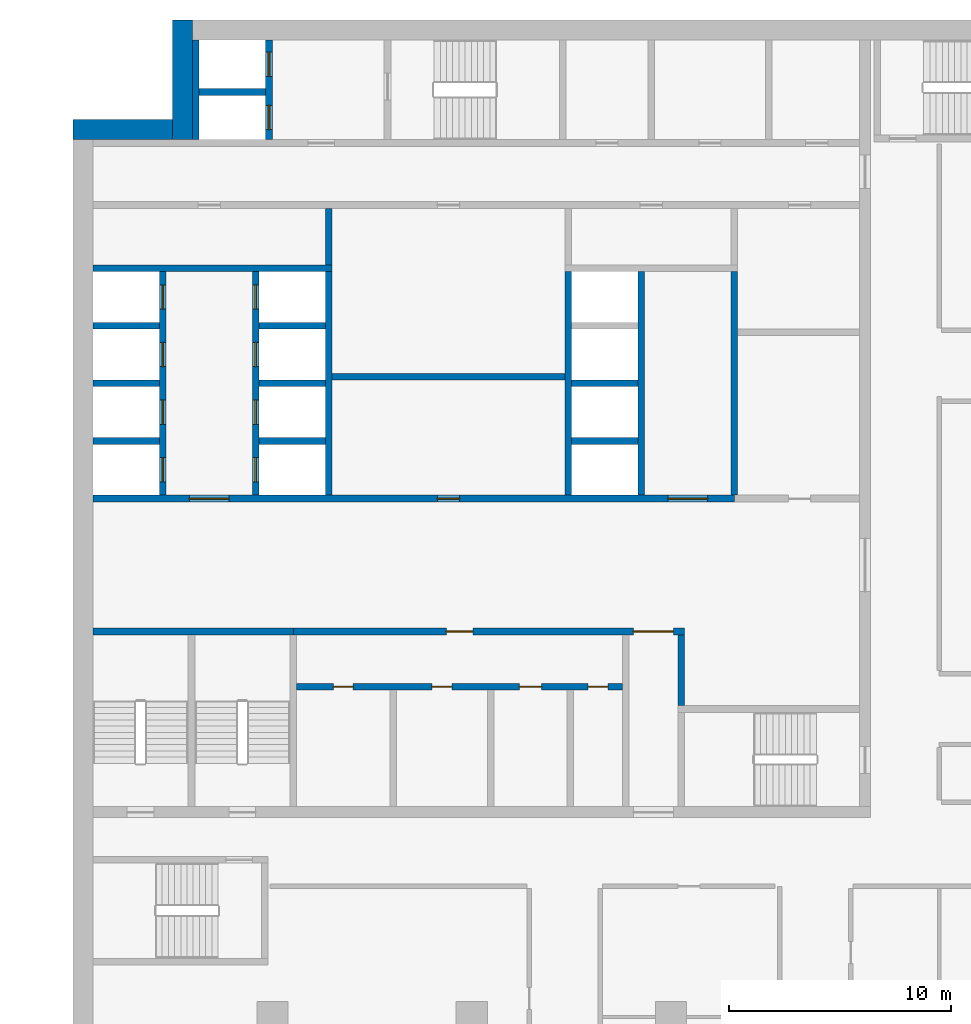
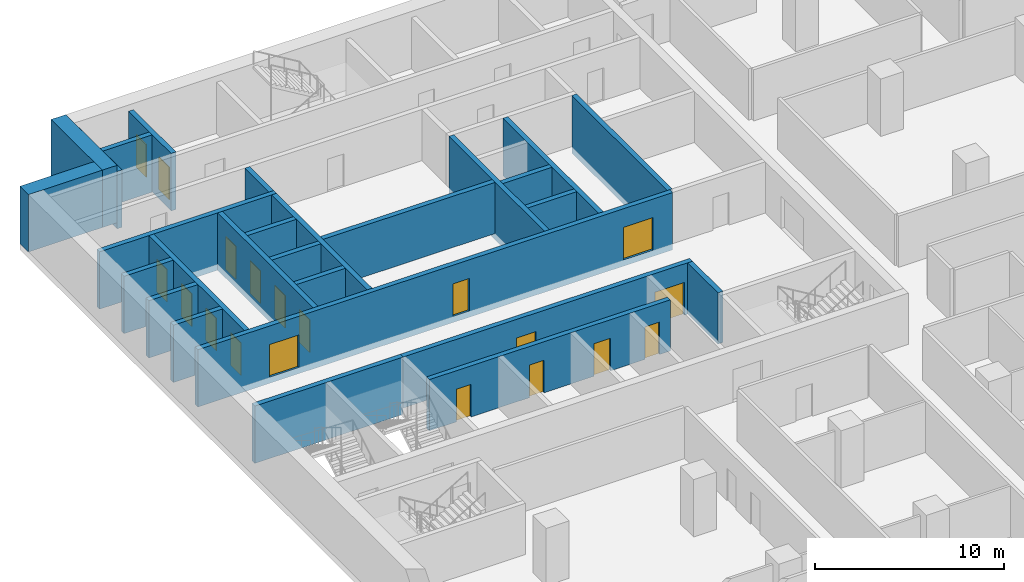
# One storey, part 14 of 28: 27 walls, 19 doors, 19 openings.
"""IFC4 building model written with IfcOpenShell, lengths in metres."""

from ifc_helpers import new_model, si_unit, direction, frame, frame_2d, origin, place, context, subcontext, project, spatial, rectangle, extrude, material, layer, layer_set, type_object, element, fill, save


model = new_model("IFC4")

# Units and contexts
model_context = context("Model", 3, precision=1e-05, world=origin(), true_north=direction((0.0, 1.0)))
body_context = subcontext(model_context, "Body", "Model", "MODEL_VIEW")
ifc_project = project(units=[si_unit("LENGTHUNIT", "METRE"), si_unit("AREAUNIT", "SQUARE_METRE"), si_unit("VOLUMEUNIT", "CUBIC_METRE"), si_unit("PLANEANGLEUNIT", "RADIAN"), si_unit("MASSUNIT", "GRAM", prefix="KILO")], contexts=[model_context])

# Site, building, storey
site_placement = place(None, origin())
site = spatial("IfcSite", under=ifc_project, at=site_placement, CompositionType="ELEMENT")
building_placement = place(site_placement, origin())
building = spatial("IfcBuilding", under=site, at=building_placement, Name="Hunhe Ridgeline Campus", CompositionType="ELEMENT")
storey_placement = place(building_placement, frame((0.0, 0.0, 58.0)))
storey = spatial("IfcBuildingStorey", under=building, at=storey_placement, Name="L13", CompositionType="ELEMENT", Elevation=58.0)

# Wall, openings, doors
ifc_material_1 = material(Name="Masonry concrete blockwork", Category="masonry")
ifc_layer_1 = layer(ifc_material_1, 0.300048828125)
ifc_layer_set_1 = layer_set([ifc_layer_1], Name="Core room partition 300 concrete block")
wall_type_1 = type_object("IfcWallType", Name="Core room partition 300 concrete block", PredefinedType="PARTITIONING", material=ifc_layer_set_1)
wall_1_placement = place(storey_placement, frame((10.10009765625, 68.89990234375, 0.0), z_axis=(0.0, 0.0, 1.0), x_axis=(1.0, 0.0, 0.0)))
wall_1 = element("IfcWall", 1, at=wall_1_placement, inside=storey, type_object=wall_type_1, Name="L13 core partition 11", PredefinedType="PARTITIONING", context=body_context, shape_type="SweptSolid", body=[
    extrude(rectangle(XDim=14.699951171875, YDim=0.300048828125, at=frame_2d((7.35009765625, 0.0))), origin(), (0.0, 0.0, 1.0), 3.300048828125),
])
opening_1_placement = place(wall_1_placement, frame((1.64990234375, 0.0, 0.0)))
opening_1 = element("IfcOpeningElement", 2, at=opening_1_placement, cuts=wall_1, Name="Opening CD8", PredefinedType="OPENING", context=body_context, shape_type="SweptSolid", body=[
    extrude(rectangle(XDim=0.89990234375, YDim=2.10009765625, at=frame_2d((0.449951171875, 1.050048828125))), frame((0.0, 0.14990234375, 0.0), z_axis=(0.0, -1.0, 0.0), x_axis=(1.0, 0.0, 0.0)), (0.0, 0.0, 1.0), 0.300048828125),
])
opening_2_placement = place(wall_1_placement, frame((6.10009765625, 0.0, 0.0)))
opening_2 = element("IfcOpeningElement", 3, at=opening_2_placement, cuts=wall_1, Name="Opening CD9", PredefinedType="OPENING", context=body_context, shape_type="SweptSolid", body=[
    extrude(rectangle(XDim=0.89990234375, YDim=2.10009765625, at=frame_2d((0.449951171875, 1.050048828125))), frame((0.0, 0.14990234375, 0.0), z_axis=(0.0, -1.0, 0.0), x_axis=(1.0, 0.0, 0.0)), (0.0, 0.0, 1.0), 0.300048828125),
])
opening_3_placement = place(wall_1_placement, frame((10.050048828125, 0.0, 0.0)))
opening_3 = element("IfcOpeningElement", 4, at=opening_3_placement, cuts=wall_1, Name="Opening CD10", PredefinedType="OPENING", context=body_context, shape_type="SweptSolid", body=[
    extrude(rectangle(XDim=1.0, YDim=2.10009765625, at=frame_2d((0.5, 1.050048828125))), frame((0.0, 0.14990234375, 0.0), z_axis=(0.0, -1.0, 0.0), x_axis=(1.0, 0.0, 0.0)), (0.0, 0.0, 1.0), 0.300048828125),
])
opening_4_placement = place(wall_1_placement, frame((13.14990234375, 0.0, 0.0)))
opening_4 = element("IfcOpeningElement", 5, at=opening_4_placement, cuts=wall_1, Name="Opening CD11", PredefinedType="OPENING", context=body_context, shape_type="SweptSolid", body=[
    extrude(rectangle(XDim=0.89990234375, YDim=2.10009765625, at=frame_2d((0.449951171875, 1.050048828125))), frame((0.0, 0.14990234375, 0.0), z_axis=(0.0, -1.0, 0.0), x_axis=(1.0, 0.0, 0.0)), (0.0, 0.0, 1.0), 0.300048828125),
])
ifc_material_2 = material(Name="Solid core timber door leaf", Category="wood")
door_type_1 = type_object("IfcDoorType", Name="Timber door 1000x2100", OperationType="SINGLE_SWING_LEFT", PredefinedType="DOOR", material=ifc_material_2)
door_1_placement = place(opening_3_placement, frame((1.0, 0.0, 0.0), z_axis=(0.0, 0.0, 1.0), x_axis=(-1.0, 0.0, 0.0)))
door_1 = element("IfcDoor", 6, at=door_1_placement, inside=storey, type_object=door_type_1, Name="L13 door WC3", OperationType="SINGLE_SWING_RIGHT", OverallHeight=2.10009765625, OverallWidth=1.0, PredefinedType="DOOR", context=body_context, shape_type="SweptSolid", body=[
    extrude(rectangle(XDim=1.0, YDim=2.10009765625, at=frame_2d((0.5, 1.050048828125))), frame((0.0, 0.02490234375, 0.0), z_axis=(0.0, -1.0, 0.0), x_axis=(1.0, 0.0, 0.0)), (0.0, 0.0, 1.0), 0.050048828125),
])
fill(opening_3, door_1)
door_type_2 = type_object("IfcDoorType", Name="Timber door 900x2100", OperationType="SINGLE_SWING_LEFT", PredefinedType="DOOR", material=ifc_material_2)
door_2_placement = place(opening_1_placement, frame((0.89990234375, 0.0, 0.0), z_axis=(0.0, 0.0, 1.0), x_axis=(-1.0, 0.0, 0.0)))
door_2 = element("IfcDoor", 7, at=door_2_placement, inside=storey, type_object=door_type_2, Name="L13 door WC1", OperationType="SINGLE_SWING_RIGHT", OverallHeight=2.10009765625, OverallWidth=0.89990234375, PredefinedType="DOOR", context=body_context, shape_type="SweptSolid", body=[
    extrude(rectangle(XDim=0.89990234375, YDim=2.10009765625, at=frame_2d((0.449951171875, 1.050048828125))), frame((0.0, 0.02490234375, 0.0), z_axis=(0.0, -1.0, 0.0), x_axis=(1.0, 0.0, 0.0)), (0.0, 0.0, 1.0), 0.050048828125),
])
fill(opening_1, door_2)
door_3_placement = place(opening_2_placement, frame((0.89990234375, 0.0, 0.0), z_axis=(0.0, 0.0, 1.0), x_axis=(-1.0, 0.0, 0.0)))
door_3 = element("IfcDoor", 8, at=door_3_placement, inside=storey, type_object=door_type_2, Name="L13 door WC2", OperationType="SINGLE_SWING_LEFT", OverallHeight=2.10009765625, OverallWidth=0.89990234375, PredefinedType="DOOR", context=body_context, shape_type="SweptSolid", body=[
    extrude(rectangle(XDim=0.89990234375, YDim=2.10009765625, at=frame_2d((0.449951171875, 1.050048828125))), frame((0.0, 0.02490234375, 0.0), z_axis=(0.0, -1.0, 0.0), x_axis=(1.0, 0.0, 0.0)), (0.0, 0.0, 1.0), 0.050048828125),
])
fill(opening_2, door_3)
door_4_placement = place(opening_4_placement, frame((0.89990234375, 0.0, 0.0), z_axis=(0.0, 0.0, 1.0), x_axis=(-1.0, 0.0, 0.0)))
door_4 = element("IfcDoor", 9, at=door_4_placement, inside=storey, type_object=door_type_2, Name="L13 door WC4", OperationType="SINGLE_SWING_LEFT", OverallHeight=2.10009765625, OverallWidth=0.89990234375, PredefinedType="DOOR", context=body_context, shape_type="SweptSolid", body=[
    extrude(rectangle(XDim=0.89990234375, YDim=2.10009765625, at=frame_2d((0.449951171875, 1.050048828125))), frame((0.0, 0.02490234375, 0.0), z_axis=(0.0, -1.0, 0.0), x_axis=(1.0, 0.0, 0.0)), (0.0, 0.0, 1.0), 0.050048828125),
])
fill(opening_4, door_4)

wall_2_placement = place(storey_placement, frame((9.949951171875, 71.39990234375, 0.0), z_axis=(0.0, 0.0, 1.0), x_axis=(1.0, 0.0, 0.0)))
wall_2 = element("IfcWall", 10, at=wall_2_placement, inside=storey, type_object=wall_type_1, Name="L13 core partition 13", PredefinedType="PARTITIONING", context=body_context, shape_type="SweptSolid", body=[
    extrude(rectangle(XDim=17.650146484375, YDim=0.300048828125, at=frame_2d((8.8251953125, 0.0))), origin(), (0.0, 0.0, 1.0), 3.300048828125),
])
opening_5_placement = place(wall_2_placement, frame((15.35009765625, 0.0, 0.0)))
opening_5 = element("IfcOpeningElement", 11, at=opening_5_placement, cuts=wall_2, Name="Opening CD7", PredefinedType="OPENING", context=body_context, shape_type="SweptSolid", body=[
    extrude(rectangle(XDim=1.800048828125, YDim=2.10009765625, at=frame_2d((0.89990234375, 1.050048828125))), frame((0.0, 0.14990234375, 0.0), z_axis=(0.0, -1.0, 0.0), x_axis=(1.0, 0.0, 0.0)), (0.0, 0.0, 1.0), 0.300048828125),
])
opening_6_placement = place(wall_2_placement, frame((6.89990234375, 0.0, 0.0)))
opening_6 = element("IfcOpeningElement", 12, at=opening_6_placement, cuts=wall_2, Name="Opening CD37", PredefinedType="OPENING", context=body_context, shape_type="SweptSolid", body=[
    extrude(rectangle(XDim=1.199951171875, YDim=2.10009765625, at=frame_2d((0.60009765625, 1.050048828125))), frame((0.0, 0.14990234375, 0.0), z_axis=(0.0, -1.0, 0.0), x_axis=(1.0, 0.0, 0.0)), (0.0, 0.0, 1.0), 0.300048828125),
])
ifc_material_3 = material(Name="Anodised aluminium and glass", Category="aluminium")
door_type_3 = type_object("IfcDoorType", Name="Glazed double door 1800x2100", OperationType="DOUBLE_DOOR_SINGLE_SWING", PredefinedType="DOOR", material=ifc_material_3)
door_5_placement = place(opening_5_placement, origin())
door_5 = element("IfcDoor", 13, at=door_5_placement, inside=storey, type_object=door_type_3, Name="L13 door VEST-HALL", OperationType="DOUBLE_DOOR_SINGLE_SWING", OverallHeight=2.10009765625, OverallWidth=1.800048828125, PredefinedType="DOOR", context=body_context, shape_type="SweptSolid", body=[
    extrude(rectangle(XDim=1.800048828125, YDim=2.10009765625, at=frame_2d((0.89990234375, 1.050048828125))), frame((0.0, 0.02490234375, 0.0), z_axis=(0.0, -1.0, 0.0), x_axis=(1.0, 0.0, 0.0)), (0.0, 0.0, 1.0), 0.050048828125),
])
fill(opening_5, door_5)
door_type_4 = type_object("IfcDoorType", Name="Timber door 1200x2100", OperationType="SINGLE_SWING_LEFT", PredefinedType="DOOR", material=ifc_material_2)
door_6_placement = place(opening_6_placement, origin())
door_6 = element("IfcDoor", 14, at=door_6_placement, inside=storey, type_object=door_type_4, Name="L13 door WCL1-HALL", OperationType="SINGLE_SWING_LEFT", OverallHeight=2.10009765625, OverallWidth=1.199951171875, PredefinedType="DOOR", context=body_context, shape_type="SweptSolid", body=[
    extrude(rectangle(XDim=1.199951171875, YDim=2.10009765625, at=frame_2d((0.60009765625, 1.050048828125))), frame((0.0, 0.02490234375, 0.0), z_axis=(0.0, -1.0, 0.0), x_axis=(1.0, 0.0, 0.0)), (0.0, 0.0, 1.0), 0.050048828125),
])
fill(opening_6, door_6)

# Walls
wall_3_placement = place(storey_placement, frame((11.699951171875, 82.89990234375, 0.0), z_axis=(0.0, 0.0, 1.0), x_axis=(1.0, 0.0, 0.0)))
element("IfcWall", 15, at=wall_3_placement, inside=storey, type_object=wall_type_1, Name="L13 core partition 22", PredefinedType="PARTITIONING", context=body_context, shape_type="SweptSolid", body=[
    extrude(rectangle(XDim=10.5, YDim=0.300048828125, at=frame_2d((5.25, 0.0))), origin(), (0.0, 0.0, 1.0), 3.300048828125),
])
wall_4_placement = place(storey_placement, frame((11.550048828125, 87.949951171875, 0.0), z_axis=(0.0, 0.0, 1.0), x_axis=(0.0, 1.0, 0.0)))
element("IfcWall", 16, at=wall_4_placement, inside=storey, type_object=wall_type_1, Name="L13 core partition 45", PredefinedType="PARTITIONING", context=body_context, shape_type="SweptSolid", body=[
    extrude(rectangle(XDim=2.550048828125, YDim=0.300048828125, at=frame_2d((1.27490234375, 0.0))), origin(), (0.0, 0.0, 1.0), 3.300048828125),
])
wall_5_placement = place(storey_placement, frame((27.449951171875, 68.050048828125, 0.0), z_axis=(0.0, 0.0, 1.0), x_axis=(0.0, 1.0, 0.0)))
element("IfcWall", 17, at=wall_5_placement, inside=storey, type_object=wall_type_1, Name="L13 core partition 59", PredefinedType="PARTITIONING", context=body_context, shape_type="SweptSolid", body=[
    extrude(rectangle(XDim=3.199951171875, YDim=0.300048828125, at=frame_2d((1.60009765625, 0.0))), origin(), (0.0, 0.0, 1.0), 3.300048828125),
])
ifc_material_4 = material(Name="Concrete C80", Category="concrete")
ifc_layer_2 = layer(ifc_material_4, 0.300048828125)
ifc_layer_set_2 = layer_set([ifc_layer_2], Name="Lobby wall 300 reinforced concrete C80")
wall_type_2 = type_object("IfcWallType", Name="Lobby wall 300 reinforced concrete C80", PredefinedType="SOLIDWALL", material=ifc_layer_set_2)
wall_6_placement = place(storey_placement, frame((29.85009765625, 77.550048828125, -0.39990234375), z_axis=(0.0, 0.0, 1.0), x_axis=(0.0, 1.0, 0.0)))
element("IfcWall", 18, at=wall_6_placement, inside=storey, type_object=wall_type_2, Name="L13 core wall 60", PredefinedType="SOLIDWALL", context=body_context, shape_type="SweptSolid", body=[
    extrude(rectangle(XDim=10.099853515625, YDim=0.300048828125, at=frame_2d((5.0498046875, 0.0))), origin(), (0.0, 0.0, 1.0), 3.699951171875),
])

# Wall, openings, doors
ifc_layer_3 = layer(ifc_material_4, 0.300048828125)
ifc_layer_set_3 = layer_set([ifc_layer_3], Name="Shaft wall 300 reinforced concrete C80")
wall_type_3 = type_object("IfcWallType", Name="Shaft wall 300 reinforced concrete C80", PredefinedType="SOLIDWALL", material=ifc_layer_set_3)
wall_7_placement = place(storey_placement, frame((0.89990234375, 77.39990234375, -0.39990234375), z_axis=(0.0, 0.0, 1.0), x_axis=(1.0, 0.0, 0.0)))
wall_7 = element("IfcWall", 19, at=wall_7_placement, inside=storey, type_object=wall_type_3, Name="L13 core wall 14", PredefinedType="SOLIDWALL", context=body_context, shape_type="SweptSolid", body=[
    extrude(rectangle(XDim=28.9501953125, YDim=0.300048828125, at=frame_2d((14.47509765625, 0.0))), origin(), (0.0, 0.0, 1.0), 3.699951171875),
])
opening_7_placement = place(wall_7_placement, frame((4.35009765625, 0.0, 0.39990234375)))
opening_7 = element("IfcOpeningElement", 20, at=opening_7_placement, cuts=wall_7, Name="Opening CD1", PredefinedType="OPENING", context=body_context, shape_type="SweptSolid", body=[
    extrude(rectangle(XDim=1.800048828125, YDim=2.10009765625, at=frame_2d((0.89990234375, 1.050048828125))), frame((0.0, 0.14990234375, 0.0), z_axis=(0.0, -1.0, 0.0), x_axis=(1.0, 0.0, 0.0)), (0.0, 0.0, 1.0), 0.300048828125),
])
opening_8_placement = place(wall_7_placement, frame((25.949951171875, 0.0, 0.39990234375)))
opening_8 = element("IfcOpeningElement", 21, at=opening_8_placement, cuts=wall_7, Name="Opening CD2", PredefinedType="OPENING", context=body_context, shape_type="SweptSolid", body=[
    extrude(rectangle(XDim=1.800048828125, YDim=2.10009765625, at=frame_2d((0.89990234375, 1.050048828125))), frame((0.0, 0.14990234375, 0.0), z_axis=(0.0, -1.0, 0.0), x_axis=(1.0, 0.0, 0.0)), (0.0, 0.0, 1.0), 0.300048828125),
])
opening_9_placement = place(wall_7_placement, frame((15.550048828125, 0.0, 0.39990234375)))
opening_9 = element("IfcOpeningElement", 22, at=opening_9_placement, cuts=wall_7, Name="Opening CD28", PredefinedType="OPENING", context=body_context, shape_type="SweptSolid", body=[
    extrude(rectangle(XDim=1.0, YDim=2.10009765625, at=frame_2d((0.5, 1.050048828125))), frame((0.0, 0.14990234375, 0.0), z_axis=(0.0, -1.0, 0.0), x_axis=(1.0, 0.0, 0.0)), (0.0, 0.0, 1.0), 0.300048828125),
])
ifc_material_5 = material(Name="Hollow metal fire door leaf")
door_type_5 = type_object("IfcDoorType", Name="Lobby door 1800x2100 FD60", OperationType="SINGLE_SWING_LEFT", PredefinedType="DOOR", material=ifc_material_5)
door_7_placement = place(opening_7_placement, frame((1.800048828125, 0.0, 0.0), z_axis=(0.0, 0.0, 1.0), x_axis=(-1.0, 0.0, 0.0)))
door_7 = element("IfcDoor", 23, at=door_7_placement, inside=storey, type_object=door_type_5, Name="L13 door LOB-LR", OperationType="SINGLE_SWING_RIGHT", OverallHeight=2.10009765625, OverallWidth=1.800048828125, PredefinedType="DOOR", context=body_context, shape_type="SweptSolid", body=[
    extrude(rectangle(XDim=1.800048828125, YDim=2.10009765625, at=frame_2d((0.89990234375, 1.050048828125))), frame((0.0, 0.02490234375, 0.0), z_axis=(0.0, -1.0, 0.0), x_axis=(1.0, 0.0, 0.0)), (0.0, 0.0, 1.0), 0.050048828125),
])
fill(opening_7, door_7)
door_8_placement = place(opening_8_placement, frame((1.800048828125, 0.0, 0.0), z_axis=(0.0, 0.0, 1.0), x_axis=(-1.0, 0.0, 0.0)))
door_8 = element("IfcDoor", 24, at=door_8_placement, inside=storey, type_object=door_type_5, Name="L13 door LOB-SH", OperationType="SINGLE_SWING_LEFT", OverallHeight=2.10009765625, OverallWidth=1.800048828125, PredefinedType="DOOR", context=body_context, shape_type="SweptSolid", body=[
    extrude(rectangle(XDim=1.800048828125, YDim=2.10009765625, at=frame_2d((0.89990234375, 1.050048828125))), frame((0.0, 0.02490234375, 0.0), z_axis=(0.0, -1.0, 0.0), x_axis=(1.0, 0.0, 0.0)), (0.0, 0.0, 1.0), 0.050048828125),
])
fill(opening_8, door_8)
door_9_placement = place(opening_9_placement, origin())
door_9 = element("IfcDoor", 25, at=door_9_placement, inside=storey, type_object=door_type_1, Name="L13 door VD-HR0", OperationType="SINGLE_SWING_LEFT", OverallHeight=2.10009765625, OverallWidth=1.0, PredefinedType="DOOR", context=body_context, shape_type="SweptSolid", body=[
    extrude(rectangle(XDim=1.0, YDim=2.10009765625, at=frame_2d((0.5, 1.050048828125))), frame((0.0, 0.02490234375, 0.0), z_axis=(0.0, -1.0, 0.0), x_axis=(1.0, 0.0, 0.0)), (0.0, 0.0, 1.0), 0.050048828125),
])
fill(opening_9, door_9)

# Walls
for number, where, z_axis, x_axis, name in (
    (26, (0.89990234375, 80.0, -0.39990234375), (0.0, 0.0, 1.0), (1.0, 0.0, 0.0), "L13 core wall 16"),
    (27, (8.39990234375, 80.0, -0.39990234375), (0.0, 0.0, 1.0), (1.0, 0.0, 0.0), "L13 core wall 17"),
    (28, (22.5, 80.0, -0.39990234375), (0.0, 0.0, 1.0), (1.0, 0.0, 0.0), "L13 core wall 18"),
    (29, (0.89990234375, 82.60009765625, -0.39990234375), (0.0, 0.0, 1.0), (1.0, 0.0, 0.0), "L13 core wall 19"),
    (30, (8.39990234375, 82.60009765625, -0.39990234375), (0.0, 0.0, 1.0), (1.0, 0.0, 0.0), "L13 core wall 20"),
    (31, (22.5, 82.60009765625, -0.39990234375), (0.0, 0.0, 1.0), (1.0, 0.0, 0.0), "L13 core wall 21"),
    (32, (0.89990234375, 85.199951171875, -0.39990234375), (0.0, 0.0, 1.0), (1.0, 0.0, 0.0), "L13 core wall 24"),
    (33, (8.39990234375, 85.199951171875, -0.39990234375), (0.0, 0.0, 1.0), (1.0, 0.0, 0.0), "L13 core wall 25"),
):
    element("IfcWall", number, at=place(storey_placement, frame(where, z_axis=z_axis, x_axis=x_axis)), inside=storey, type_object=wall_type_3, Name=name, PredefinedType="SOLIDWALL", context=body_context, shape_type="SweptSolid", body=[
        extrude(rectangle(XDim=3.0, YDim=0.300048828125, at=frame_2d((1.5, 0.0))), origin(), (0.0, 0.0, 1.0), 3.699951171875),
    ])
wall_8_placement = place(storey_placement, frame((0.89990234375, 87.800048828125, -0.39990234375), z_axis=(0.0, 0.0, 1.0), x_axis=(1.0, 0.0, 0.0)))
element("IfcWall", 34, at=wall_8_placement, inside=storey, type_object=wall_type_3, Name="L13 core wall 27", PredefinedType="SOLIDWALL", context=body_context, shape_type="SweptSolid", body=[
    extrude(rectangle(XDim=10.800048828125, YDim=0.300048828125, at=frame_2d((5.39990234375, 0.0))), origin(), (0.0, 0.0, 1.0), 3.699951171875),
])
wall_9_placement = place(storey_placement, frame((5.699951171875, 95.75, -0.39990234375), z_axis=(0.0, 0.0, 1.0), x_axis=(1.0, 0.0, 0.0)))
element("IfcWall", 35, at=wall_9_placement, inside=storey, type_object=wall_type_3, Name="L13 core wall 35", PredefinedType="SOLIDWALL", context=body_context, shape_type="SweptSolid", body=[
    extrude(rectangle(XDim=3.0, YDim=0.300048828125, at=frame_2d((1.5, 0.0))), origin(), (0.0, 0.0, 1.0), 3.699951171875),
])

# Wall, openings, doors
wall_10_placement = place(storey_placement, frame((4.050048828125, 77.550048828125, -0.39990234375), z_axis=(0.0, 0.0, 1.0), x_axis=(0.0, 1.0, 0.0)))
wall_10 = element("IfcWall", 36, at=wall_10_placement, inside=storey, type_object=wall_type_3, Name="L13 core wall 36", PredefinedType="SOLIDWALL", context=body_context, shape_type="SweptSolid", body=[
    extrude(rectangle(XDim=10.099853515625, YDim=0.300048828125, at=frame_2d((5.0498046875, 0.0))), origin(), (0.0, 0.0, 1.0), 3.699951171875),
])
opening_10_placement = place(wall_10_placement, frame((0.60009765625, 0.0, 0.39990234375)))
opening_10 = element("IfcOpeningElement", 37, at=opening_10_placement, cuts=wall_10, Name="Opening LD-LR1", PredefinedType="OPENING", context=body_context, shape_type="SweptSolid", body=[
    extrude(rectangle(XDim=1.10009765625, YDim=2.10009765625, at=frame_2d((0.550048828125, 1.050048828125))), frame((0.0, 0.14990234375, 0.0), z_axis=(0.0, -1.0, 0.0), x_axis=(1.0, 0.0, 0.0)), (0.0, 0.0, 1.0), 0.300048828125),
])
opening_11_placement = place(wall_10_placement, frame((3.199951171875, 0.0, 0.39990234375)))
opening_11 = element("IfcOpeningElement", 38, at=opening_11_placement, cuts=wall_10, Name="Opening LD-LR2", PredefinedType="OPENING", context=body_context, shape_type="SweptSolid", body=[
    extrude(rectangle(XDim=1.10009765625, YDim=2.10009765625, at=frame_2d((0.550048828125, 1.050048828125))), frame((0.0, 0.14990234375, 0.0), z_axis=(0.0, -1.0, 0.0), x_axis=(1.0, 0.0, 0.0)), (0.0, 0.0, 1.0), 0.300048828125),
])
opening_12_placement = place(wall_10_placement, frame((5.800048828125, 0.0, 0.39990234375)))
opening_12 = element("IfcOpeningElement", 39, at=opening_12_placement, cuts=wall_10, Name="Opening LD-LR3", PredefinedType="OPENING", context=body_context, shape_type="SweptSolid", body=[
    extrude(rectangle(XDim=1.10009765625, YDim=2.10009765625, at=frame_2d((0.550048828125, 1.050048828125))), frame((0.0, 0.14990234375, 0.0), z_axis=(0.0, -1.0, 0.0), x_axis=(1.0, 0.0, 0.0)), (0.0, 0.0, 1.0), 0.300048828125),
])
opening_13_placement = place(wall_10_placement, frame((8.39990234375, 0.0, 0.39990234375)))
opening_13 = element("IfcOpeningElement", 40, at=opening_13_placement, cuts=wall_10, Name="Opening LD-LR4", PredefinedType="OPENING", context=body_context, shape_type="SweptSolid", body=[
    extrude(rectangle(XDim=1.10009765625, YDim=2.10009765625, at=frame_2d((0.550048828125, 1.050048828125))), frame((0.0, 0.14990234375, 0.0), z_axis=(0.0, -1.0, 0.0), x_axis=(1.0, 0.0, 0.0)), (0.0, 0.0, 1.0), 0.300048828125),
])
ifc_material_6 = material(Name="Stainless steel sliding leaves", Category="steel")
door_type_6 = type_object("IfcDoorType", Name="Landing door 1100x2100 FD120", OperationType="SLIDING_TO_LEFT", PredefinedType="DOOR", material=ifc_material_6)
door_10_placement = place(opening_10_placement, origin())
door_10 = element("IfcDoor", 41, at=door_10_placement, inside=storey, type_object=door_type_6, Name="L13 landing door LR1", OperationType="SLIDING_TO_RIGHT", OverallHeight=2.10009765625, OverallWidth=1.10009765625, PredefinedType="DOOR", context=body_context, shape_type="SweptSolid", body=[
    extrude(rectangle(XDim=1.10009765625, YDim=2.10009765625, at=frame_2d((0.550048828125, 1.050048828125))), frame((0.0, 0.02490234375, 0.0), z_axis=(0.0, -1.0, 0.0), x_axis=(1.0, 0.0, 0.0)), (0.0, 0.0, 1.0), 0.050048828125),
])
fill(opening_10, door_10)
door_11_placement = place(opening_11_placement, origin())
door_11 = element("IfcDoor", 42, at=door_11_placement, inside=storey, type_object=door_type_6, Name="L13 landing door LR2", OperationType="SLIDING_TO_LEFT", OverallHeight=2.10009765625, OverallWidth=1.10009765625, PredefinedType="DOOR", context=body_context, shape_type="SweptSolid", body=[
    extrude(rectangle(XDim=1.10009765625, YDim=2.10009765625, at=frame_2d((0.550048828125, 1.050048828125))), frame((0.0, 0.02490234375, 0.0), z_axis=(0.0, -1.0, 0.0), x_axis=(1.0, 0.0, 0.0)), (0.0, 0.0, 1.0), 0.050048828125),
])
fill(opening_11, door_11)
door_12_placement = place(opening_12_placement, origin())
door_12 = element("IfcDoor", 43, at=door_12_placement, inside=storey, type_object=door_type_6, Name="L13 landing door LR3", OperationType="SLIDING_TO_RIGHT", OverallHeight=2.10009765625, OverallWidth=1.10009765625, PredefinedType="DOOR", context=body_context, shape_type="SweptSolid", body=[
    extrude(rectangle(XDim=1.10009765625, YDim=2.10009765625, at=frame_2d((0.550048828125, 1.050048828125))), frame((0.0, 0.02490234375, 0.0), z_axis=(0.0, -1.0, 0.0), x_axis=(1.0, 0.0, 0.0)), (0.0, 0.0, 1.0), 0.050048828125),
])
fill(opening_12, door_12)
door_13_placement = place(opening_13_placement, origin())
door_13 = element("IfcDoor", 44, at=door_13_placement, inside=storey, type_object=door_type_6, Name="L13 landing door LR4", OperationType="SLIDING_TO_LEFT", OverallHeight=2.10009765625, OverallWidth=1.10009765625, PredefinedType="DOOR", context=body_context, shape_type="SweptSolid", body=[
    extrude(rectangle(XDim=1.10009765625, YDim=2.10009765625, at=frame_2d((0.550048828125, 1.050048828125))), frame((0.0, 0.02490234375, 0.0), z_axis=(0.0, -1.0, 0.0), x_axis=(1.0, 0.0, 0.0)), (0.0, 0.0, 1.0), 0.050048828125),
])
fill(opening_13, door_13)

# Wall
wall_11_placement = place(storey_placement, frame((5.550048828125, 93.60009765625, -0.39990234375), z_axis=(0.0, 0.0, 1.0), x_axis=(0.0, 1.0, 0.0)))
element("IfcWall", 45, at=wall_11_placement, inside=storey, type_object=wall_type_3, Name="L13 core wall 38", PredefinedType="SOLIDWALL", context=body_context, shape_type="SweptSolid", body=[
    extrude(rectangle(XDim=4.5, YDim=0.300048828125, at=frame_2d((2.25, 0.0))), origin(), (0.0, 0.0, 1.0), 3.699951171875),
])

# Wall, openings, doors
wall_12_placement = place(storey_placement, frame((8.25, 77.550048828125, -0.39990234375), z_axis=(0.0, 0.0, 1.0), x_axis=(0.0, 1.0, 0.0)))
wall_12 = element("IfcWall", 46, at=wall_12_placement, inside=storey, type_object=wall_type_3, Name="L13 core wall 39", PredefinedType="SOLIDWALL", context=body_context, shape_type="SweptSolid", body=[
    extrude(rectangle(XDim=10.099853515625, YDim=0.300048828125, at=frame_2d((5.0498046875, 0.0))), origin(), (0.0, 0.0, 1.0), 3.699951171875),
])
opening_14_placement = place(wall_12_placement, frame((0.60009765625, 0.0, 0.39990234375)))
opening_14 = element("IfcOpeningElement", 47, at=opening_14_placement, cuts=wall_12, Name="Opening LD-LR5", PredefinedType="OPENING", context=body_context, shape_type="SweptSolid", body=[
    extrude(rectangle(XDim=1.10009765625, YDim=2.10009765625, at=frame_2d((0.550048828125, 1.050048828125))), frame((0.0, 0.14990234375, 0.0), z_axis=(0.0, -1.0, 0.0), x_axis=(1.0, 0.0, 0.0)), (0.0, 0.0, 1.0), 0.300048828125),
])
opening_15_placement = place(wall_12_placement, frame((3.199951171875, 0.0, 0.39990234375)))
opening_15 = element("IfcOpeningElement", 48, at=opening_15_placement, cuts=wall_12, Name="Opening LD-LR6", PredefinedType="OPENING", context=body_context, shape_type="SweptSolid", body=[
    extrude(rectangle(XDim=1.10009765625, YDim=2.10009765625, at=frame_2d((0.550048828125, 1.050048828125))), frame((0.0, 0.14990234375, 0.0), z_axis=(0.0, -1.0, 0.0), x_axis=(1.0, 0.0, 0.0)), (0.0, 0.0, 1.0), 0.300048828125),
])
opening_16_placement = place(wall_12_placement, frame((5.800048828125, 0.0, 0.39990234375)))
opening_16 = element("IfcOpeningElement", 49, at=opening_16_placement, cuts=wall_12, Name="Opening LD-LR7", PredefinedType="OPENING", context=body_context, shape_type="SweptSolid", body=[
    extrude(rectangle(XDim=1.10009765625, YDim=2.10009765625, at=frame_2d((0.550048828125, 1.050048828125))), frame((0.0, 0.14990234375, 0.0), z_axis=(0.0, -1.0, 0.0), x_axis=(1.0, 0.0, 0.0)), (0.0, 0.0, 1.0), 0.300048828125),
])
opening_17_placement = place(wall_12_placement, frame((8.39990234375, 0.0, 0.39990234375)))
opening_17 = element("IfcOpeningElement", 50, at=opening_17_placement, cuts=wall_12, Name="Opening LD-LR8", PredefinedType="OPENING", context=body_context, shape_type="SweptSolid", body=[
    extrude(rectangle(XDim=1.10009765625, YDim=2.10009765625, at=frame_2d((0.550048828125, 1.050048828125))), frame((0.0, 0.14990234375, 0.0), z_axis=(0.0, -1.0, 0.0), x_axis=(1.0, 0.0, 0.0)), (0.0, 0.0, 1.0), 0.300048828125),
])
door_14_placement = place(opening_14_placement, origin())
door_14 = element("IfcDoor", 51, at=door_14_placement, inside=storey, type_object=door_type_6, Name="L13 landing door LR5", OperationType="SLIDING_TO_RIGHT", OverallHeight=2.10009765625, OverallWidth=1.10009765625, PredefinedType="DOOR", context=body_context, shape_type="SweptSolid", body=[
    extrude(rectangle(XDim=1.10009765625, YDim=2.10009765625, at=frame_2d((0.550048828125, 1.050048828125))), frame((0.0, 0.02490234375, 0.0), z_axis=(0.0, -1.0, 0.0), x_axis=(1.0, 0.0, 0.0)), (0.0, 0.0, 1.0), 0.050048828125),
])
fill(opening_14, door_14)
door_15_placement = place(opening_15_placement, origin())
door_15 = element("IfcDoor", 52, at=door_15_placement, inside=storey, type_object=door_type_6, Name="L13 landing door LR6", OperationType="SLIDING_TO_LEFT", OverallHeight=2.10009765625, OverallWidth=1.10009765625, PredefinedType="DOOR", context=body_context, shape_type="SweptSolid", body=[
    extrude(rectangle(XDim=1.10009765625, YDim=2.10009765625, at=frame_2d((0.550048828125, 1.050048828125))), frame((0.0, 0.02490234375, 0.0), z_axis=(0.0, -1.0, 0.0), x_axis=(1.0, 0.0, 0.0)), (0.0, 0.0, 1.0), 0.050048828125),
])
fill(opening_15, door_15)
door_16_placement = place(opening_16_placement, origin())
door_16 = element("IfcDoor", 53, at=door_16_placement, inside=storey, type_object=door_type_6, Name="L13 landing door LR7", OperationType="SLIDING_TO_RIGHT", OverallHeight=2.10009765625, OverallWidth=1.10009765625, PredefinedType="DOOR", context=body_context, shape_type="SweptSolid", body=[
    extrude(rectangle(XDim=1.10009765625, YDim=2.10009765625, at=frame_2d((0.550048828125, 1.050048828125))), frame((0.0, 0.02490234375, 0.0), z_axis=(0.0, -1.0, 0.0), x_axis=(1.0, 0.0, 0.0)), (0.0, 0.0, 1.0), 0.050048828125),
])
fill(opening_16, door_16)
door_17_placement = place(opening_17_placement, origin())
door_17 = element("IfcDoor", 54, at=door_17_placement, inside=storey, type_object=door_type_6, Name="L13 landing door LR8", OperationType="SLIDING_TO_LEFT", OverallHeight=2.10009765625, OverallWidth=1.10009765625, PredefinedType="DOOR", context=body_context, shape_type="SweptSolid", body=[
    extrude(rectangle(XDim=1.10009765625, YDim=2.10009765625, at=frame_2d((0.550048828125, 1.050048828125))), frame((0.0, 0.02490234375, 0.0), z_axis=(0.0, -1.0, 0.0), x_axis=(1.0, 0.0, 0.0)), (0.0, 0.0, 1.0), 0.050048828125),
])
fill(opening_17, door_17)

wall_13_placement = place(storey_placement, frame((8.85009765625, 93.60009765625, -0.39990234375), z_axis=(0.0, 0.0, 1.0), x_axis=(0.0, 1.0, 0.0)))
wall_13 = element("IfcWall", 55, at=wall_13_placement, inside=storey, type_object=wall_type_3, Name="L13 core wall 42", PredefinedType="SOLIDWALL", context=body_context, shape_type="SweptSolid", body=[
    extrude(rectangle(XDim=4.5, YDim=0.300048828125, at=frame_2d((2.25, 0.0))), origin(), (0.0, 0.0, 1.0), 3.699951171875),
])
opening_18_placement = place(wall_13_placement, frame((0.449951171875, 0.0, 0.39990234375)))
opening_18 = element("IfcOpeningElement", 56, at=opening_18_placement, cuts=wall_13, Name="Opening LD-FF1", PredefinedType="OPENING", context=body_context, shape_type="SweptSolid", body=[
    extrude(rectangle(XDim=1.10009765625, YDim=2.10009765625, at=frame_2d((0.550048828125, 1.050048828125))), frame((0.0, 0.14990234375, 0.0), z_axis=(0.0, -1.0, 0.0), x_axis=(1.0, 0.0, 0.0)), (0.0, 0.0, 1.0), 0.300048828125),
])
opening_19_placement = place(wall_13_placement, frame((2.85009765625, 0.0, 0.39990234375)))
opening_19 = element("IfcOpeningElement", 57, at=opening_19_placement, cuts=wall_13, Name="Opening LD-FF2", PredefinedType="OPENING", context=body_context, shape_type="SweptSolid", body=[
    extrude(rectangle(XDim=1.10009765625, YDim=2.10009765625, at=frame_2d((0.550048828125, 1.050048828125))), frame((0.0, 0.14990234375, 0.0), z_axis=(0.0, -1.0, 0.0), x_axis=(1.0, 0.0, 0.0)), (0.0, 0.0, 1.0), 0.300048828125),
])
door_18_placement = place(opening_18_placement, origin())
door_18 = element("IfcDoor", 58, at=door_18_placement, inside=storey, type_object=door_type_6, Name="L13 landing door FF1", OperationType="SLIDING_TO_RIGHT", OverallHeight=2.10009765625, OverallWidth=1.10009765625, PredefinedType="DOOR", context=body_context, shape_type="SweptSolid", body=[
    extrude(rectangle(XDim=1.10009765625, YDim=2.10009765625, at=frame_2d((0.550048828125, 1.050048828125))), frame((0.0, 0.02490234375, 0.0), z_axis=(0.0, -1.0, 0.0), x_axis=(1.0, 0.0, 0.0)), (0.0, 0.0, 1.0), 0.050048828125),
])
fill(opening_18, door_18)
door_19_placement = place(opening_19_placement, origin())
door_19 = element("IfcDoor", 59, at=door_19_placement, inside=storey, type_object=door_type_6, Name="L13 landing door FF2", OperationType="SLIDING_TO_LEFT", OverallHeight=2.10009765625, OverallWidth=1.10009765625, PredefinedType="DOOR", context=body_context, shape_type="SweptSolid", body=[
    extrude(rectangle(XDim=1.10009765625, YDim=2.10009765625, at=frame_2d((0.550048828125, 1.050048828125))), frame((0.0, 0.02490234375, 0.0), z_axis=(0.0, -1.0, 0.0), x_axis=(1.0, 0.0, 0.0)), (0.0, 0.0, 1.0), 0.050048828125),
])
fill(opening_19, door_19)

# Walls
for number, where, z_axis, x_axis, name in (
    (60, (11.550048828125, 77.550048828125, -0.39990234375), (0.0, 0.0, 1.0), (0.0, 1.0, 0.0), "L13 core wall 44"),
    (61, (22.35009765625, 77.550048828125, -0.39990234375), (0.0, 0.0, 1.0), (0.0, 1.0, 0.0), "L13 core wall 51"),
    (62, (25.64990234375, 77.550048828125, -0.39990234375), (0.0, 0.0, 1.0), (0.0, 1.0, 0.0), "L13 core wall 56"),
):
    element("IfcWall", number, at=place(storey_placement, frame(where, z_axis=z_axis, x_axis=x_axis)), inside=storey, type_object=wall_type_3, Name=name, PredefinedType="SOLIDWALL", context=body_context, shape_type="SweptSolid", body=[
        extrude(rectangle(XDim=10.099853515625, YDim=0.300048828125, at=frame_2d((5.0498046875, 0.0))), origin(), (0.0, 0.0, 1.0), 3.699951171875),
    ])
ifc_layer_4 = layer(ifc_material_4, 0.89990234375)
ifc_layer_set_4 = layer_set([ifc_layer_4], Name="Spine wall 900 Concrete C80")
wall_type_4 = type_object("IfcWallType", Name="Spine wall 900 Concrete C80", PredefinedType="SHEAR", material=ifc_layer_set_4)
for number, where, z_axis, x_axis, name in (
    (63, (4.949951171875, 99.0, 0.0), (0.0, 0.0, 1.0), (0.0, -1.0, 0.0), "Spine wall SW1-5 L13"),
    (64, (5.400146484375, 94.050048828125, 0.0), (0.0, 0.0, 1.0), (-1.0, 0.0, 0.0), "Spine wall SW1-6 L13"),
):
    element("IfcWall", number, at=place(storey_placement, frame(where, z_axis=z_axis, x_axis=x_axis)), inside=storey, type_object=wall_type_4, Name=name, PredefinedType="SHEAR", context=body_context, shape_type="SweptSolid", body=[
        extrude(rectangle(XDim=5.400146484375, YDim=0.89990234375, at=frame_2d((2.7001953125, 0.0))), origin(), (0.0, 0.0, 1.0), 3.699951171875),
    ])
ifc_layer_5 = layer(ifc_material_4, 0.300048828125)
ifc_layer_set_5 = layer_set([ifc_layer_5], Name="Stair wall 300 reinforced concrete C80")
wall_type_5 = type_object("IfcWallType", Name="Stair wall 300 reinforced concrete C80", PredefinedType="SOLIDWALL", material=ifc_layer_set_5)
wall_14_placement = place(storey_placement, frame((0.89990234375, 71.39990234375, -0.39990234375), z_axis=(0.0, 0.0, 1.0), x_axis=(1.0, 0.0, 0.0)))
element("IfcWall", 65, at=wall_14_placement, inside=storey, type_object=wall_type_5, Name="L13 core wall 12", PredefinedType="SOLIDWALL", context=body_context, shape_type="SweptSolid", body=[
    extrude(rectangle(XDim=9.050048828125, YDim=0.300048828125, at=frame_2d((4.52490234375, 0.0))), origin(), (0.0, 0.0, 1.0), 3.699951171875),
])

save(model, "model.ifc")
